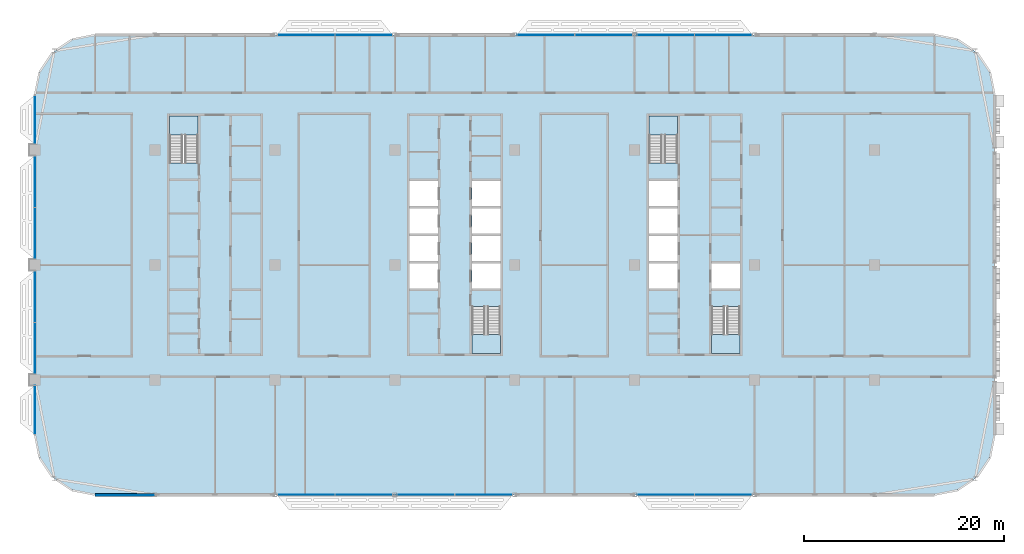
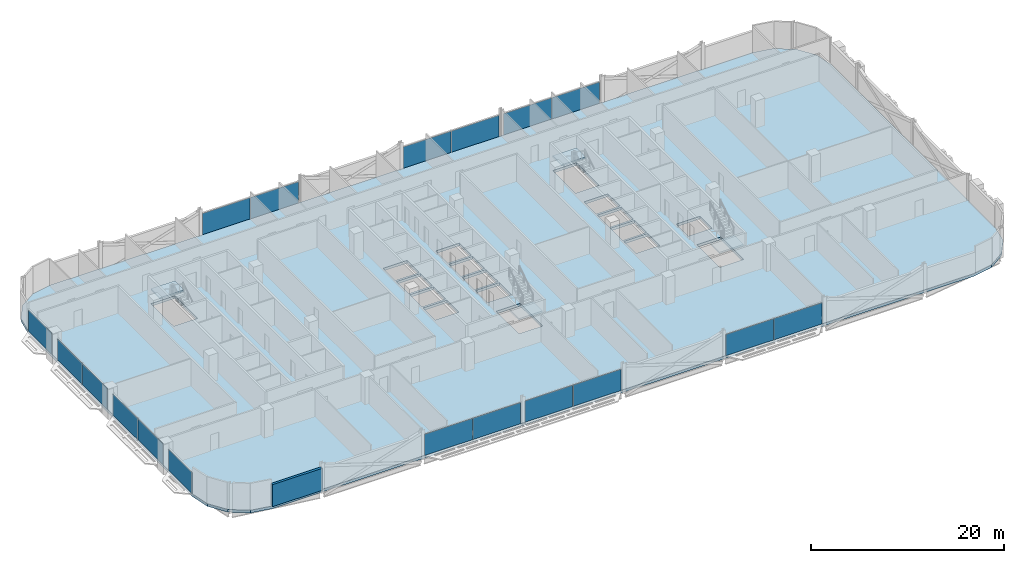
# One storey, part 12 of 30: 18 plates, 5 slabs, 1 wall, 14 elements without a shape of their own.
"""IFC4 building model written with IfcOpenShell, lengths in metres."""

from ifc_helpers import new_model, si_unit, direction, frame, frame_2d, origin, origin_2d, place, context, subcontext, project, spatial, polyline, rectangle, outline, extrude, material, layer, layer_set, type_object, element, aggregate, save


model = new_model("IFC4")

# Units and contexts
model_context = context("Model", 3, precision=1e-05, world=origin(), true_north=direction((0.0, 1.0)))
body_context = subcontext(model_context, "Body", "Model", "MODEL_VIEW")
ifc_project = project(units=[si_unit("LENGTHUNIT", "METRE"), si_unit("AREAUNIT", "SQUARE_METRE"), si_unit("VOLUMEUNIT", "CUBIC_METRE"), si_unit("PLANEANGLEUNIT", "RADIAN"), si_unit("MASSUNIT", "GRAM", prefix="KILO")], contexts=[model_context])

# Site, building, storey
site_placement = place(None, origin())
site = spatial("IfcSite", under=ifc_project, at=site_placement, CompositionType="ELEMENT")
building_placement = place(site_placement, origin())
building = spatial("IfcBuilding", under=site, at=building_placement, Name="Mahtab Terrace Research Tower", CompositionType="ELEMENT")
storey_placement = place(building_placement, frame((0.0, 0.0, 216.699951171875)))
storey = spatial("IfcBuildingStorey", under=building, at=storey_placement, Name="L52", CompositionType="ELEMENT", Elevation=216.699951171875)

# Stair, slab
ifc_material_1 = material(Name="Exit stair half-turn")
stair_type = type_object("IfcStairType", Name="Exit stair half-turn", PredefinedType="HALF_TURN_STAIR", material=ifc_material_1)
stair_1_placement = place(storey_placement, origin())
stair_1 = element("IfcStair", 1, at=stair_1_placement, inside=storey, type_object=stair_type, Name="L52 Protected exit stair ST1", PredefinedType="HALF_TURN_STAIR")
ifc_material_2 = material(Name="Concrete C40/50", Category="concrete")
ifc_layer_1 = layer(ifc_material_2, 0.199951171875)
ifc_layer_set_1 = layer_set([ifc_layer_1], Name="Exit stair landing 200")
slab_type_1 = type_object("IfcSlabType", Name="Exit stair landing 200", PredefinedType="LANDING", material=ifc_layer_set_1)
slab_1_placement = place(storey_placement, frame((0.0, 0.0, 1.699951171875)))
slab_1 = element("IfcSlab", 2, at=slab_1_placement, type_object=slab_type_1, Name="ST1 landing 1", PredefinedType="LANDING", context=body_context, shape_type="SweptSolid", body=[
    extrude(outline(polyline([(-25.699951171875, 12.97509765625), (-25.699951171875, 14.875), (-28.550048828125, 14.875), (-28.550048828125, 12.97509765625), (-25.699951171875, 12.97509765625)])), origin(), (0.0, 0.0, 1.0), 0.2001953125),
])
aggregate(stair_1, [slab_1])

stair_2_placement = place(storey_placement, origin())
stair_2 = element("IfcStair", 3, at=stair_2_placement, inside=storey, type_object=stair_type, Name="L52 Protected exit stair ST2", PredefinedType="HALF_TURN_STAIR")
slab_2_placement = place(storey_placement, frame((0.0, 0.0, 1.699951171875)))
slab_2 = element("IfcSlab", 4, at=slab_2_placement, type_object=slab_type_1, Name="ST2 landing 1", PredefinedType="LANDING", context=body_context, shape_type="SweptSolid", body=[
    extrude(outline(polyline([(1.699951171875, -6.97509765625), (1.699951171875, -8.875), (4.550048828125, -8.875), (4.550048828125, -6.97509765625), (1.699951171875, -6.97509765625)])), origin(), (0.0, 0.0, 1.0), 0.2001953125),
])
aggregate(stair_2, [slab_2])

stair_3_placement = place(storey_placement, origin())
stair_3 = element("IfcStair", 5, at=stair_3_placement, inside=storey, type_object=stair_type, Name="L52 Protected exit stair ST3", PredefinedType="HALF_TURN_STAIR")
slab_3_placement = place(storey_placement, frame((0.0, 0.0, 1.699951171875)))
slab_3 = element("IfcSlab", 6, at=slab_3_placement, type_object=slab_type_1, Name="ST3 landing 1", PredefinedType="LANDING", context=body_context, shape_type="SweptSolid", body=[
    extrude(outline(polyline([(22.300048828125, 12.97509765625), (22.300048828125, 14.875), (19.449951171875, 14.875), (19.449951171875, 12.97509765625), (22.300048828125, 12.97509765625)])), origin(), (0.0, 0.0, 1.0), 0.2001953125),
])
aggregate(stair_3, [slab_3])

stair_4_placement = place(storey_placement, origin())
stair_4 = element("IfcStair", 7, at=stair_4_placement, inside=storey, type_object=stair_type, Name="L52 Protected exit stair ST4", PredefinedType="HALF_TURN_STAIR")
slab_4_placement = place(storey_placement, frame((0.0, 0.0, 1.699951171875)))
slab_4 = element("IfcSlab", 8, at=slab_4_placement, type_object=slab_type_1, Name="ST4 landing 1", PredefinedType="LANDING", context=body_context, shape_type="SweptSolid", body=[
    extrude(outline(polyline([(25.699951171875, -6.97509765625), (25.699951171875, -8.875), (28.550048828125, -8.875), (28.550048828125, -6.97509765625), (25.699951171875, -6.97509765625)])), origin(), (0.0, 0.0, 1.0), 0.2001953125),
])
aggregate(stair_4, [slab_4])

# Curtain wall, plates
ifc_material_3 = material(Name="Laboratory ribbon curtain wall")
curtain_wall_type = type_object("IfcCurtainWallType", Name="Laboratory ribbon curtain wall", PredefinedType="NOTDEFINED", material=ifc_material_3)
curtain_wall_1_placement = place(storey_placement, origin())
curtain_wall_1 = element("IfcCurtainWall", 9, at=curtain_wall_1_placement, inside=storey, type_object=curtain_wall_type, Name="EN.L52.3.5", PredefinedType="NOTDEFINED")
ifc_material_4 = material(Name="Dark glazing", Category="glass")
ifc_layer_2 = layer(ifc_material_4, 0.031982421875)
ifc_layer_set_2 = layer_set([ifc_layer_2], Name="Laboratory ribbon curtain wall glazing panel")
plate_type = type_object("IfcPlateType", Name="Laboratory ribbon curtain wall glazing panel", PredefinedType="CURTAIN_PANEL", material=ifc_layer_set_2)
plate_1_placement = place(storey_placement, frame((26.8837890625, 23.0, 0.0), z_axis=(0.0, 0.0, 1.0), x_axis=(-1.0, 0.0, 0.0)))
plate_1 = element("IfcPlate", 10, at=plate_1_placement, type_object=plate_type, Name="CWL-6 panel 1", PredefinedType="CURTAIN_PANEL", context=body_context, shape_type="SweptSolid", body=[
    extrude(rectangle(XDim=5.702392578125, YDim=0.031982421875, at=origin_2d()), origin(), (0.0, 0.0, 1.0), 2.681884765625),
])
plate_2_placement = place(storey_placement, frame((21.1162109375, 23.0, 0.0), z_axis=(0.0, 0.0, 1.0), x_axis=(-1.0, 0.0, 0.0)))
plate_2 = element("IfcPlate", 11, at=plate_2_placement, type_object=plate_type, Name="CWL-6 panel 2", PredefinedType="CURTAIN_PANEL", context=body_context, shape_type="SweptSolid", body=[
    extrude(rectangle(XDim=5.702392578125, YDim=0.031982421875, at=origin_2d()), origin(), (0.0, 0.0, 1.0), 2.681884765625),
])
aggregate(curtain_wall_1, [plate_1, plate_2])

curtain_wall_2_placement = place(storey_placement, origin())
curtain_wall_2 = element("IfcCurtainWall", 12, at=curtain_wall_2_placement, inside=storey, type_object=curtain_wall_type, Name="EN.L52.3.6", PredefinedType="NOTDEFINED")
plate_3_placement = place(storey_placement, frame((14.8837890625, 23.0, 0.0), z_axis=(0.0, 0.0, 1.0), x_axis=(-1.0, 0.0, 0.0)))
plate_3 = element("IfcPlate", 13, at=plate_3_placement, type_object=plate_type, Name="CWL-6 panel 1", PredefinedType="CURTAIN_PANEL", context=body_context, shape_type="SweptSolid", body=[
    extrude(rectangle(XDim=5.702392578125, YDim=0.031982421875, at=origin_2d()), origin(), (0.0, 0.0, 1.0), 2.681884765625),
])
plate_4_placement = place(storey_placement, frame((9.1162109375, 23.0, 0.0), z_axis=(0.0, 0.0, 1.0), x_axis=(-1.0, 0.0, 0.0)))
plate_4 = element("IfcPlate", 14, at=plate_4_placement, type_object=plate_type, Name="CWL-6 panel 2", PredefinedType="CURTAIN_PANEL", context=body_context, shape_type="SweptSolid", body=[
    extrude(rectangle(XDim=5.702392578125, YDim=0.031982421875, at=origin_2d()), origin(), (0.0, 0.0, 1.0), 2.681884765625),
])
aggregate(curtain_wall_2, [plate_3, plate_4])

curtain_wall_3_placement = place(storey_placement, origin())
curtain_wall_3 = element("IfcCurtainWall", 15, at=curtain_wall_3_placement, inside=storey, type_object=curtain_wall_type, Name="EN.L52.3.8", PredefinedType="NOTDEFINED")
plate_5_placement = place(storey_placement, frame((-9.1162109375, 23.0, 0.0), z_axis=(0.0, 0.0, 1.0), x_axis=(-1.0, 0.0, 0.0)))
plate_5 = element("IfcPlate", 16, at=plate_5_placement, type_object=plate_type, Name="CWL-6 panel 1", PredefinedType="CURTAIN_PANEL", context=body_context, shape_type="SweptSolid", body=[
    extrude(rectangle(XDim=5.702392578125, YDim=0.031982421875, at=origin_2d()), origin(), (0.0, 0.0, 1.0), 2.681884765625),
])
plate_6_placement = place(storey_placement, frame((-14.8837890625, 23.0, 0.0), z_axis=(0.0, 0.0, 1.0), x_axis=(-1.0, 0.0, 0.0)))
plate_6 = element("IfcPlate", 17, at=plate_6_placement, type_object=plate_type, Name="CWL-6 panel 2", PredefinedType="CURTAIN_PANEL", context=body_context, shape_type="SweptSolid", body=[
    extrude(rectangle(XDim=5.702392578125, YDim=0.031982421875, at=origin_2d()), origin(), (0.0, 0.0, 1.0), 2.681884765625),
])
aggregate(curtain_wall_3, [plate_5, plate_6])

# Curtain wall, plate
curtain_wall_4_placement = place(storey_placement, origin())
curtain_wall_4 = element("IfcCurtainWall", 18, at=curtain_wall_4_placement, inside=storey, type_object=curtain_wall_type, Name="EN.L52.8.15", PredefinedType="NOTDEFINED")
plate_7_placement = place(storey_placement, frame((-42.0, 14.52490234375, 0.0), z_axis=(0.0, 0.0, 1.0), x_axis=(0.0, -1.0, 0.0)))
plate_7 = element("IfcPlate", 19, at=plate_7_placement, type_object=plate_type, Name="CWL-6 panel 1", PredefinedType="CURTAIN_PANEL", context=body_context, shape_type="SweptSolid", body=[
    extrude(rectangle(XDim=4.820068359375, YDim=0.031982421875, at=origin_2d()), origin(), (0.0, 0.0, 1.0), 2.681884765625),
])
aggregate(curtain_wall_4, [plate_7])

# Curtain wall, plates
curtain_wall_5_placement = place(storey_placement, origin())
curtain_wall_5 = element("IfcCurtainWall", 20, at=curtain_wall_5_placement, inside=storey, type_object=curtain_wall_type, Name="EN.L52.8.16", PredefinedType="NOTDEFINED")
plate_8_placement = place(storey_placement, frame((-42.0, 8.333740234375, 0.0), z_axis=(0.0, 0.0, 1.0), x_axis=(0.0, -1.0, 0.0)))
plate_8 = element("IfcPlate", 21, at=plate_8_placement, type_object=plate_type, Name="CWL-6 panel 1", PredefinedType="CURTAIN_PANEL", context=body_context, shape_type="SweptSolid", body=[
    extrude(rectangle(XDim=5.1025390625, YDim=0.031982421875, at=origin_2d()), origin(), (0.0, 0.0, 1.0), 2.681884765625),
])
plate_9_placement = place(storey_placement, frame((-42.0, 3.166259765625, 0.0), z_axis=(0.0, 0.0, 1.0), x_axis=(0.0, -1.0, 0.0)))
plate_9 = element("IfcPlate", 22, at=plate_9_placement, type_object=plate_type, Name="CWL-6 panel 2", PredefinedType="CURTAIN_PANEL", context=body_context, shape_type="SweptSolid", body=[
    extrude(rectangle(XDim=5.1025390625, YDim=0.031982421875, at=origin_2d()), origin(), (0.0, 0.0, 1.0), 2.681884765625),
])
aggregate(curtain_wall_5, [plate_8, plate_9])

curtain_wall_6_placement = place(storey_placement, origin())
curtain_wall_6 = element("IfcCurtainWall", 23, at=curtain_wall_6_placement, inside=storey, type_object=curtain_wall_type, Name="EN.L52.8.17", PredefinedType="NOTDEFINED")
plate_10_placement = place(storey_placement, frame((-42.0, -3.166259765625, 0.0), z_axis=(0.0, 0.0, 1.0), x_axis=(0.0, -1.0, 0.0)))
plate_10 = element("IfcPlate", 24, at=plate_10_placement, type_object=plate_type, Name="CWL-6 panel 1", PredefinedType="CURTAIN_PANEL", context=body_context, shape_type="SweptSolid", body=[
    extrude(rectangle(XDim=5.1025390625, YDim=0.031982421875, at=origin_2d()), origin(), (0.0, 0.0, 1.0), 2.681884765625),
])
plate_11_placement = place(storey_placement, frame((-42.0, -8.333740234375, 0.0), z_axis=(0.0, 0.0, 1.0), x_axis=(0.0, -1.0, 0.0)))
plate_11 = element("IfcPlate", 25, at=plate_11_placement, type_object=plate_type, Name="CWL-6 panel 2", PredefinedType="CURTAIN_PANEL", context=body_context, shape_type="SweptSolid", body=[
    extrude(rectangle(XDim=5.1025390625, YDim=0.031982421875, at=origin_2d()), origin(), (0.0, 0.0, 1.0), 2.681884765625),
])
aggregate(curtain_wall_6, [plate_10, plate_11])

# Curtain wall, plate
curtain_wall_7_placement = place(storey_placement, origin())
curtain_wall_7 = element("IfcCurtainWall", 26, at=curtain_wall_7_placement, inside=storey, type_object=curtain_wall_type, Name="EN.L52.8.18", PredefinedType="NOTDEFINED")
plate_12_placement = place(storey_placement, frame((-42.0, -14.52490234375, 0.0), z_axis=(0.0, 0.0, 1.0), x_axis=(0.0, -1.0, 0.0)))
plate_12 = element("IfcPlate", 27, at=plate_12_placement, type_object=plate_type, Name="CWL-6 panel 1", PredefinedType="CURTAIN_PANEL", context=body_context, shape_type="SweptSolid", body=[
    extrude(rectangle(XDim=4.820068359375, YDim=0.031982421875, at=origin_2d()), origin(), (0.0, 0.0, 1.0), 2.681884765625),
])
aggregate(curtain_wall_7, [plate_12])

# Curtain wall, plates
curtain_wall_8_placement = place(storey_placement, origin())
curtain_wall_8 = element("IfcCurtainWall", 28, at=curtain_wall_8_placement, inside=storey, type_object=curtain_wall_type, Name="EN.L52.13.25", PredefinedType="NOTDEFINED")
plate_13_placement = place(storey_placement, frame((-14.8837890625, -23.0, 0.0), z_axis=(0.0, 0.0, 1.0), x_axis=(1.0, 0.0, 0.0)))
plate_13 = element("IfcPlate", 29, at=plate_13_placement, type_object=plate_type, Name="CWL-6 panel 1", PredefinedType="CURTAIN_PANEL", context=body_context, shape_type="SweptSolid", body=[
    extrude(rectangle(XDim=5.702392578125, YDim=0.031982421875, at=origin_2d()), origin(), (0.0, 0.0, 1.0), 2.681884765625),
])
plate_14_placement = place(storey_placement, frame((-9.1162109375, -23.0, 0.0), z_axis=(0.0, 0.0, 1.0), x_axis=(1.0, 0.0, 0.0)))
plate_14 = element("IfcPlate", 30, at=plate_14_placement, type_object=plate_type, Name="CWL-6 panel 2", PredefinedType="CURTAIN_PANEL", context=body_context, shape_type="SweptSolid", body=[
    extrude(rectangle(XDim=5.702392578125, YDim=0.031982421875, at=origin_2d()), origin(), (0.0, 0.0, 1.0), 2.681884765625),
])
aggregate(curtain_wall_8, [plate_13, plate_14])

curtain_wall_9_placement = place(storey_placement, origin())
curtain_wall_9 = element("IfcCurtainWall", 31, at=curtain_wall_9_placement, inside=storey, type_object=curtain_wall_type, Name="EN.L52.13.26", PredefinedType="NOTDEFINED")
plate_15_placement = place(storey_placement, frame((-2.8837890625, -23.0, 0.0), z_axis=(0.0, 0.0, 1.0), x_axis=(1.0, 0.0, 0.0)))
plate_15 = element("IfcPlate", 32, at=plate_15_placement, type_object=plate_type, Name="CWL-6 panel 1", PredefinedType="CURTAIN_PANEL", context=body_context, shape_type="SweptSolid", body=[
    extrude(rectangle(XDim=5.702392578125, YDim=0.031982421875, at=origin_2d()), origin(), (0.0, 0.0, 1.0), 2.681884765625),
])
plate_16_placement = place(storey_placement, frame((2.8837890625, -23.0, 0.0), z_axis=(0.0, 0.0, 1.0), x_axis=(1.0, 0.0, 0.0)))
plate_16 = element("IfcPlate", 33, at=plate_16_placement, type_object=plate_type, Name="CWL-6 panel 2", PredefinedType="CURTAIN_PANEL", context=body_context, shape_type="SweptSolid", body=[
    extrude(rectangle(XDim=5.702392578125, YDim=0.031982421875, at=origin_2d()), origin(), (0.0, 0.0, 1.0), 2.681884765625),
])
aggregate(curtain_wall_9, [plate_15, plate_16])

curtain_wall_10_placement = place(storey_placement, origin())
curtain_wall_10 = element("IfcCurtainWall", 34, at=curtain_wall_10_placement, inside=storey, type_object=curtain_wall_type, Name="EN.L52.13.28", PredefinedType="NOTDEFINED")
plate_17_placement = place(storey_placement, frame((21.1162109375, -23.0, 0.0), z_axis=(0.0, 0.0, 1.0), x_axis=(1.0, 0.0, 0.0)))
plate_17 = element("IfcPlate", 35, at=plate_17_placement, type_object=plate_type, Name="CWL-6 panel 1", PredefinedType="CURTAIN_PANEL", context=body_context, shape_type="SweptSolid", body=[
    extrude(rectangle(XDim=5.702392578125, YDim=0.031982421875, at=origin_2d()), origin(), (0.0, 0.0, 1.0), 2.681884765625),
])
plate_18_placement = place(storey_placement, frame((26.8837890625, -23.0, 0.0), z_axis=(0.0, 0.0, 1.0), x_axis=(1.0, 0.0, 0.0)))
plate_18 = element("IfcPlate", 36, at=plate_18_placement, type_object=plate_type, Name="CWL-6 panel 2", PredefinedType="CURTAIN_PANEL", context=body_context, shape_type="SweptSolid", body=[
    extrude(rectangle(XDim=5.702392578125, YDim=0.031982421875, at=origin_2d()), origin(), (0.0, 0.0, 1.0), 2.681884765625),
])
aggregate(curtain_wall_10, [plate_17, plate_18])

# Slab
ifc_layer_3 = layer(ifc_material_2, 0.340087890625)
ifc_layer_set_3 = layer_set([ifc_layer_3], Name="PT flat slab 340")
slab_type_2 = type_object("IfcSlabType", Name="PT flat slab 340", PredefinedType="FLOOR", material=ifc_layer_set_3)
slab_5_placement = place(storey_placement, frame((0.0, 0.0, -0.33984375)))
element("IfcSlab", 37, at=slab_5_placement, inside=storey, type_object=slab_type_2, Name="Floor slab L52", PredefinedType="FLOOR", context=body_context, shape_type="SweptSolid", body=[
    extrude(outline(polyline([(53.54296875, 19.2958984375), (52.242919921875, 21.242919921875), (50.2958984375, 22.54296875), (48.0, 23.0), (-36.0, 23.0), (-38.2958984375, 22.54296875), (-40.242919921875, 21.242919921875), (-41.54296875, 19.2958984375), (-42.0, 17.0), (-42.0, -17.0), (-41.54296875, -19.2958984375), (-40.242919921875, -21.242919921875), (-38.2958984375, -22.54296875), (-36.0, -23.0), (48.0, -23.0), (50.2958984375, -22.54296875), (52.242919921875, -21.242919921875), (53.54296875, -19.2958984375), (54.0, -17.0), (54.0, 17.0), (53.54296875, 19.2958984375)]), holes=[polyline([(-4.550048828125, -2.375), (-4.550048828125, 0.125), (-1.699951171875, 0.125), (-1.699951171875, -2.375), (-4.550048828125, -2.375)]), polyline([(1.699951171875, -2.375), (1.699951171875, 0.125), (4.550048828125, 0.125), (4.550048828125, -2.375), (1.699951171875, -2.375)]), polyline([(-4.550048828125, 0.375), (-4.550048828125, 2.875), (-1.699951171875, 2.875), (-1.699951171875, 0.375), (-4.550048828125, 0.375)]), polyline([(1.699951171875, 0.375), (1.699951171875, 2.875), (4.550048828125, 2.875), (4.550048828125, 0.375), (1.699951171875, 0.375)]), polyline([(-4.550048828125, 3.125), (-4.550048828125, 5.625), (-1.699951171875, 5.625), (-1.699951171875, 3.125), (-4.550048828125, 3.125)]), polyline([(1.699951171875, 3.125), (1.699951171875, 5.625), (4.550048828125, 5.625), (4.550048828125, 3.125), (1.699951171875, 3.125)]), polyline([(-4.550048828125, 5.875), (-4.550048828125, 8.375), (-1.699951171875, 8.375), (-1.699951171875, 5.875), (-4.550048828125, 5.875)]), polyline([(1.699951171875, 5.875), (1.699951171875, 8.375), (4.550048828125, 8.375), (4.550048828125, 5.875), (1.699951171875, 5.875)]), polyline([(-28.550048828125, 10.177001953125), (-28.550048828125, 14.875), (-25.699951171875, 14.875), (-25.699951171875, 10.177001953125), (-28.550048828125, 10.177001953125)]), polyline([(1.699951171875, -8.875), (1.699951171875, -4.177001953125), (4.550048828125, -4.177001953125), (4.550048828125, -8.875), (1.699951171875, -8.875)]), polyline([(25.699951171875, -8.875), (25.699951171875, -4.177001953125), (28.550048828125, -4.177001953125), (28.550048828125, -8.875), (25.699951171875, -8.875)]), polyline([(19.449951171875, -2.375), (19.449951171875, 0.125), (22.300048828125, 0.125), (22.300048828125, -2.375), (19.449951171875, -2.375)]), polyline([(25.699951171875, -2.375), (25.699951171875, 0.125), (28.550048828125, 0.125), (28.550048828125, -2.375), (25.699951171875, -2.375)]), polyline([(19.449951171875, 0.375), (19.449951171875, 2.875), (22.300048828125, 2.875), (22.300048828125, 0.375), (19.449951171875, 0.375)]), polyline([(19.449951171875, 3.125), (19.449951171875, 5.625), (22.300048828125, 5.625), (22.300048828125, 3.125), (19.449951171875, 3.125)]), polyline([(19.449951171875, 8.375), (22.300048828125, 8.375), (22.300048828125, 5.875), (19.449951171875, 5.875), (19.449951171875, 8.375)]), polyline([(19.449951171875, 14.875), (22.300048828125, 14.875), (22.300048828125, 10.177001953125), (19.449951171875, 10.177001953125), (19.449951171875, 14.875)])]), origin(), (0.0, 0.0, 1.0), 0.33984375),
])

# Wall
ifc_material_5 = material(Name="Black aluminium cladding panel", Category="aluminium")
ifc_layer_4 = layer(ifc_material_5, 0.300048828125)
ifc_layer_set_4 = layer_set([ifc_layer_4], Name="Opaque facade wall 300")
wall_type = type_object("IfcWallType", Name="Opaque facade wall 300", PredefinedType="NOTDEFINED", material=ifc_layer_set_4)
wall_placement = place(storey_placement, frame((-36.0, -23.0, 0.0), z_axis=(0.0, 0.0, 1.0), x_axis=(1.0, 0.0, 0.0)))
element("IfcWall", 38, at=wall_placement, inside=storey, type_object=wall_type, Name="Opaque facade wall L52 S23", PredefinedType="NOTDEFINED", context=body_context, shape_type="SweptSolid", body=[
    extrude(rectangle(XDim=5.987548828125, YDim=0.300048828125, at=frame_2d((2.99365234375, 0.0))), origin(), (0.0, 0.0, 1.0), 2.78173828125),
])

save(model, "model.ifc")
